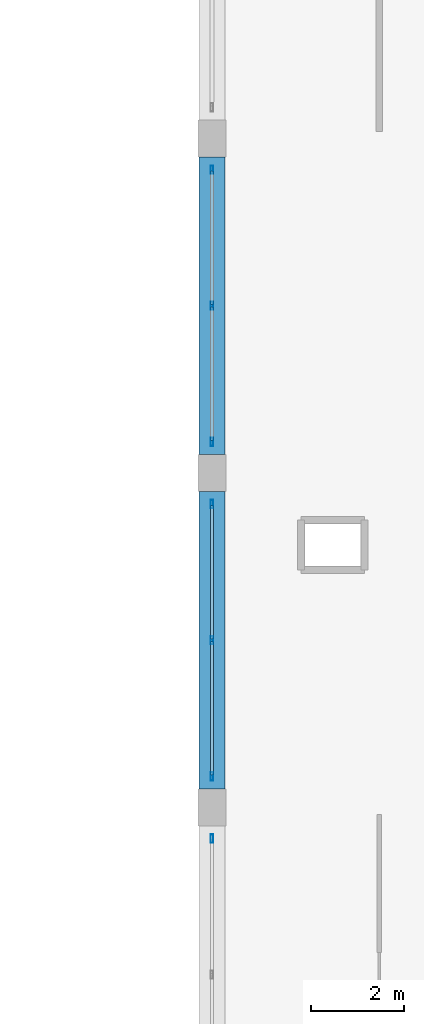
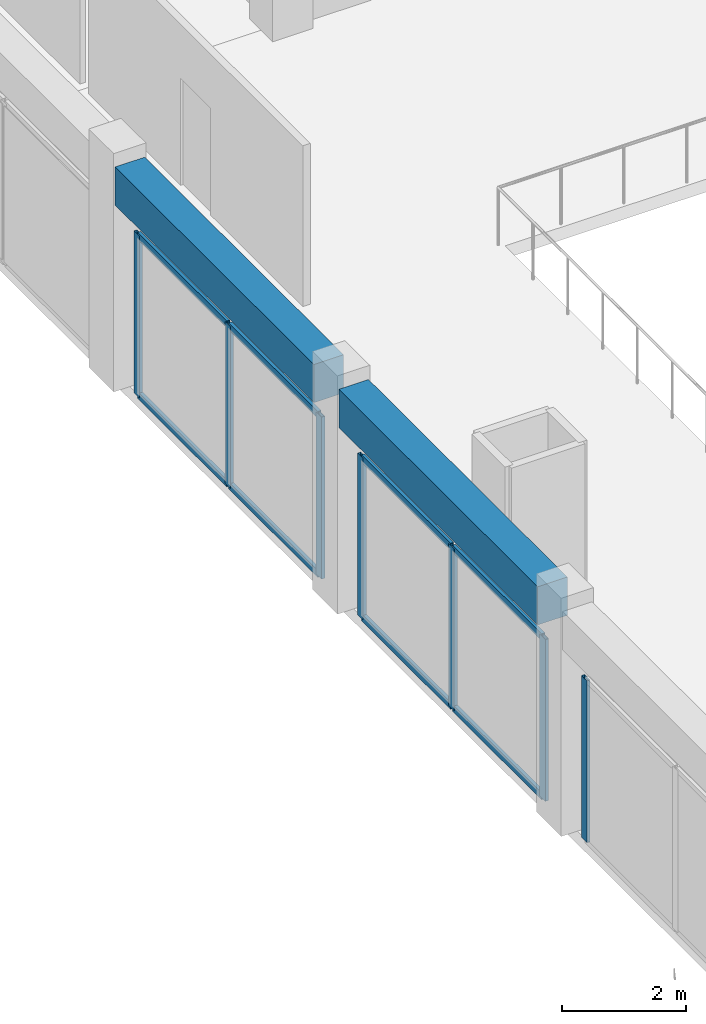
# One storey, part 10 of 55: 15 members, 2 beams, 3 elements without a shape of their own.
"""IFC4 building model written with IfcOpenShell, lengths in metres."""

import ifcopenshell
import ifcopenshell.guid

model = None  # the IFC model being written
_history = None  # IfcOwnerHistory: only IFC2X3 demands one
_inside = {}  # id of a spatial element -> (the spatial element, [elements in it])
_under = {}  # id of a project, library or spatial element -> (it, [spatial elements below it])
_declared = {}  # id of a project -> (the project, [libraries it declares])
_typed = {}  # id of a type object -> (the type object, [elements of that type])
_made_of = {}  # id of a material, layer set ... -> (it, [elements and type objects made of it])


def new_model(schema):
    """Start an empty IFC model of exactly this schema.

    Asked for "IFC4X3", IfcOpenShell would pick the latest addendum, in which some entities
    have other attributes; the version numbers below select the first issue.
    IFC2X3 requires an IfcOwnerHistory on every rooted entity: one is made here for all.
    """
    global model, _history
    if schema == "IFC4X3":
        model = ifcopenshell.file(schema_version=(4, 3, 0, 0))
    else:
        model = ifcopenshell.file(schema=schema)
    _inside.clear()
    _under.clear()
    _declared.clear()
    _typed.clear()
    _made_of.clear()
    _history = None
    if model.schema == "IFC2X3":
        org = make("IfcOrganization", Name="unknown")
        user = make(
            "IfcPersonAndOrganization",
            ThePerson=make("IfcPerson", FamilyName="unknown"),
            TheOrganization=org,
        )
        app = make(
            "IfcApplication",
            ApplicationDeveloper=org,
            Version="unknown",
            ApplicationFullName="unknown",
            ApplicationIdentifier="unknown",
        )
        _history = make(
            "IfcOwnerHistory",
            OwningUser=user,
            OwningApplication=app,
            ChangeAction="ADDED",
            CreationDate=0,
        )
    return model


def make(cls, **values):
    """One entity of the class cls with the attributes given. An attribute that is None is left unset."""
    return model.create_entity(
        cls, **{name: value for name, value in values.items() if value is not None}
    )


def rooted(cls, **values):
    """An entity with a GlobalId (a new one), such as an element, a storey or a relation."""
    return make(cls, GlobalId=ifcopenshell.guid.new(), OwnerHistory=_history, **values)


def si_unit(unit_type, name, prefix=None):
    """IfcSIUnit, for example si_unit("LENGTHUNIT", "METRE", prefix="MILLI")."""
    return make("IfcSIUnit", UnitType=unit_type, Prefix=prefix, Name=name)


def assignment(units):
    """IfcUnitAssignment: the units of a project."""
    return None if units is None else make("IfcUnitAssignment", Units=units)


def point(xyz):
    """IfcCartesianPoint."""
    return None if xyz is None else make("IfcCartesianPoint", Coordinates=xyz)


def direction(xyz):
    """IfcDirection."""
    return None if xyz is None else make("IfcDirection", DirectionRatios=xyz)


def frame(location, z_axis=None, x_axis=None):
    """IfcAxis2Placement3D, a coordinate frame: its origin and axes. An axis left out is left unset."""
    return make(
        "IfcAxis2Placement3D",
        Location=point(location),
        Axis=direction(z_axis),
        RefDirection=direction(x_axis),
    )


def frame_2d(location, x_axis=None):
    """IfcAxis2Placement2D, a coordinate frame in the plane: its origin and x axis."""
    return make(
        "IfcAxis2Placement2D", Location=point(location), RefDirection=direction(x_axis)
    )


def origin():
    """The frame at (0, 0, 0) with its axes left unset."""
    return frame((0.0, 0.0, 0.0))


def origin_2d():
    """The frame at (0, 0) in the plane with its x axis left unset."""
    return frame_2d((0.0, 0.0))


def place(relative_to, where):
    """IfcLocalPlacement: puts the frame where relative to a parent placement (None: the world)."""
    return make(
        "IfcLocalPlacement", PlacementRelTo=relative_to, RelativePlacement=where
    )


def context(
    kind, dimensions, precision=None, world=None, true_north=None, identifier=None
):
    """IfcGeometricRepresentationContext, for example the 3D "Model" context."""
    return make(
        "IfcGeometricRepresentationContext",
        ContextIdentifier=identifier,
        ContextType=kind,
        CoordinateSpaceDimension=dimensions,
        Precision=precision,
        WorldCoordinateSystem=world,
        TrueNorth=true_north,
    )


def subcontext(parent, identifier, kind, view, scale=None):
    """IfcGeometricRepresentationSubContext, for example "Body" below "Model"."""
    return make(
        "IfcGeometricRepresentationSubContext",
        ContextIdentifier=identifier,
        ContextType=kind,
        ParentContext=parent,
        TargetScale=scale,
        TargetView=view,
    )


def project(units=None, contexts=None):
    """IfcProject with its units and contexts."""
    return rooted(
        "IfcProject",
        Name="project",
        RepresentationContexts=contexts,
        UnitsInContext=assignment(units),
    )


def spatial(cls, under=None, at=None, **own):
    """A site, building, storey or space (cls), placed at a placement, below another one or the project."""
    s = rooted(cls, ObjectPlacement=at, **own)
    if under is not None:
        _under.setdefault(under.id(), (under, []))[1].append(s)
    return s


def profile(cls, at=None, kind="AREA", **sizes):
    """A parametric profile (cls). Its sizes go by their IFC names, for example OverallWidth=200.0."""
    return make(cls, ProfileType=kind, Position=at, **sizes)


def rectangle(**sizes):
    """IfcRectangleProfileDef."""
    return profile("IfcRectangleProfileDef", **sizes)


def hollow_rectangle(**sizes):
    """IfcRectangleHollowProfileDef."""
    return profile("IfcRectangleHollowProfileDef", **sizes)


def extrude(swept, where, along, depth):
    """IfcExtrudedAreaSolid: the profile swept, set in the frame where, extruded along a direction by depth."""
    return make(
        "IfcExtrudedAreaSolid",
        SweptArea=swept,
        Position=where,
        ExtrudedDirection=direction(along),
        Depth=depth,
    )


def shape(context_of_items, identifier, shape_type, items):
    """IfcShapeRepresentation: the items that make up one representation, for example the "Body"."""
    return make(
        "IfcShapeRepresentation",
        ContextOfItems=context_of_items,
        RepresentationIdentifier=identifier,
        RepresentationType=shape_type,
        Items=items,
    )


def material(Name=None, Category=None):
    """IfcMaterial."""
    return make("IfcMaterial", Name=Name, Category=Category)


def material_profile(
    of_material, cross_section, Name=None, Category=None, Priority=None
):
    """IfcMaterialProfile: a cross section and its material."""
    return make(
        "IfcMaterialProfile",
        Name=Name,
        Material=of_material,
        Profile=cross_section,
        Priority=Priority,
        Category=Category,
    )


def profile_set(profiles, Name=None, composite=None):
    """IfcMaterialProfileSet."""
    return make(
        "IfcMaterialProfileSet",
        Name=Name,
        MaterialProfiles=profiles,
        CompositeProfile=composite,
    )


def made_of(thing, what):
    """Note that an element or type object is made of a material, layer set ...; save() writes the relation."""
    if what is not None:
        _made_of.setdefault(what.id(), (what, []))[1].append(thing)
    return thing


def type_object(cls, material=None, **own):
    """A type object (cls), such as IfcWallType, which elements share."""
    return made_of(rooted(cls, **own), material)


def element(
    cls,
    number,
    at=None,
    inside=None,
    cuts=None,
    type_object=None,
    material=None,
    context=None,
    identifier="Body",
    shape_type=None,
    held_by="IfcProductDefinitionShape",
    body=None,
    shapes=None,
    **own,
):
    """One element of the class cls, such as IfcWall. Its Tag is "e" and its number.

    at: its placement. inside: the storey or other place that contains it. cuts: it is an
    opening in that element (IfcRelVoidsElement). A single representation is given by context,
    identifier, shape_type and body (its items); several are given by shapes. held_by: the class
    of the entity that holds the representations. save() writes the other relations.
    """
    e = rooted(cls, Tag="e%d" % number, ObjectPlacement=at, **own)
    if body is not None:
        shapes = [shape(context, identifier, shape_type, body)]
    if shapes is not None:
        e.Representation = make(held_by, Representations=shapes)
    if inside is not None:
        _inside.setdefault(inside.id(), (inside, []))[1].append(e)
    if cuts is not None:
        rooted(
            "IfcRelVoidsElement", RelatingBuildingElement=cuts, RelatedOpeningElement=e
        )
    if type_object is not None:
        _typed.setdefault(type_object.id(), (type_object, []))[1].append(e)
    return made_of(e, material)


def aggregate(whole, parts):
    """IfcRelAggregates: a whole, such as a stair, and the parts it consists of."""
    return rooted("IfcRelAggregates", RelatingObject=whole, RelatedObjects=parts)


def save(model, path):
    """Write the relations noted so far, then the file.

    IfcRelAggregates (storeys below a building ...), IfcRelContainedInSpatialStructure (elements
    in a storey), IfcRelDefinesByType, IfcRelAssociatesMaterial and IfcRelDeclares: one each for
    every whole, place, type object, material and project.
    """
    for whole, parts in _under.values():
        aggregate(whole, parts)
    for where, things in _inside.values():
        rooted(
            "IfcRelContainedInSpatialStructure",
            RelatedElements=things,
            RelatingStructure=where,
        )
    for kind, things in _typed.values():
        rooted("IfcRelDefinesByType", RelatedObjects=things, RelatingType=kind)
    for what, things in _made_of.values():
        rooted("IfcRelAssociatesMaterial", RelatedObjects=things, RelatingMaterial=what)
    for by, libraries in _declared.values():
        rooted("IfcRelDeclares", RelatingContext=by, RelatedDefinitions=libraries)
    model.write(path)


model = new_model("IFC4")

# Units and contexts
model_context = context("Model", 3, precision=1e-05, world=origin(), true_north=direction((0.0, 1.0)))
body_context = subcontext(model_context, "Body", "Model", "MODEL_VIEW")
ifc_project = project(units=[si_unit("LENGTHUNIT", "METRE"), si_unit("AREAUNIT", "SQUARE_METRE"), si_unit("VOLUMEUNIT", "CUBIC_METRE"), si_unit("PLANEANGLEUNIT", "RADIAN"), si_unit("MASSUNIT", "GRAM", prefix="KILO")], contexts=[model_context])

# Site, building, storey
site_placement = place(None, origin())
site = spatial("IfcSite", under=ifc_project, at=site_placement, CompositionType="ELEMENT")
building_placement = place(site_placement, origin())
building = spatial("IfcBuilding", under=site, at=building_placement, Name="Kazehaya Institute of Natural Sciences", CompositionType="ELEMENT")
storey_placement = place(building_placement, frame((0.0, 0.0, 15.1201171875)))
storey = spatial("IfcBuildingStorey", under=building, at=storey_placement, Name="L03", CompositionType="ELEMENT", Elevation=15.1201171875)

# Beams
ifc_material_1 = material(Name="Concrete Fc36", Category="concrete")
ifc_material_profile_1 = material_profile(ifc_material_1, rectangle(XDim=0.550048828125, YDim=0.75, at=origin_2d()), Name="RC-550x750")
ifc_profile_set_1 = profile_set([ifc_material_profile_1], Name="Concrete Fc36")
beam_type = type_object("IfcBeamType", Name="BM-G-550x750", PredefinedType="BEAM", material=ifc_profile_set_1)
for number, where, z_axis, x_axis, name in (
    (1, (61.800048828125, 43.199951171875, 4.034912109375), (0.0, 1.0, 0.0), (-1.0, 0.0, 0.0), "L03 primary Y girder BMY-L03-618-428"),
    (2, (61.800048828125, 50.39990234375, 4.034912109375), (0.0, 1.0, 0.0), (-1.0, 0.0, 0.0), "L03 primary Y girder BMY-L03-618-500"),
):
    element("IfcBeam", number, at=place(storey_placement, frame(where, z_axis=z_axis, x_axis=x_axis)), inside=storey, type_object=beam_type, Name=name, PredefinedType="BEAM", context=body_context, shape_type="SweptSolid", body=[
        extrude(rectangle(XDim=0.550048828125, YDim=0.75, at=origin_2d()), origin(), (0.0, 0.0, 1.0), 6.400146484375),
    ])

# Curtain wall, member
ifc_material_2 = material(Name="Aluminium alloy A6063S-T5", Category="aluminium")
curtain_wall_type = type_object("IfcCurtainWallType", Name="CW-SYS-04", PredefinedType="NOTDEFINED", material=ifc_material_2)
curtain_wall_1_placement = place(storey_placement, origin())
curtain_wall_1 = element("IfcCurtainWall", 3, at=curtain_wall_1_placement, inside=storey, type_object=curtain_wall_type, Name="L03 unitised curtain wall CW-L03-031", PredefinedType="NOTDEFINED")
ifc_material_profile_2 = material_profile(ifc_material_2, hollow_rectangle(XDim=0.06005859375, YDim=0.179931640625, WallThickness=0.00390625, at=origin_2d()), Name="ALU-60x180x4")
ifc_profile_set_2 = profile_set([ifc_material_profile_2], Name="Aluminium alloy A6063S-T5")
member_type_1 = type_object("IfcMemberType", Name="CWM-180", PredefinedType="MULLION", material=ifc_profile_set_2)
member_1_placement = place(storey_placement, frame((61.800048828125, 42.1298828125, 0.0), z_axis=(0.0, 0.0, 1.0), x_axis=(-1.0, 0.0, 0.0)))
member_1 = element("IfcMember", 4, at=member_1_placement, type_object=member_type_1, Name="CW04 mullion 3", PredefinedType="MULLION", context=body_context, shape_type="SweptSolid", body=[
    extrude(hollow_rectangle(XDim=0.06005859375, YDim=0.179931640625, WallThickness=0.00390625, at=origin_2d()), origin(), (0.0, 0.0, 1.0), 3.179931640625),
])
aggregate(curtain_wall_1, [member_1])

# Curtain wall, members
curtain_wall_2_placement = place(storey_placement, origin())
curtain_wall_2 = element("IfcCurtainWall", 5, at=curtain_wall_2_placement, inside=storey, type_object=curtain_wall_type, Name="L03 unitised curtain wall CW-L03-033", PredefinedType="NOTDEFINED")
member_2_placement = place(storey_placement, frame((61.800048828125, 43.469970703125, 0.0), z_axis=(0.0, 0.0, 1.0), x_axis=(-1.0, 0.0, 0.0)))
member_2 = element("IfcMember", 6, at=member_2_placement, type_object=member_type_1, Name="CW04 mullion 1", PredefinedType="MULLION", context=body_context, shape_type="SweptSolid", body=[
    extrude(hollow_rectangle(XDim=0.06005859375, YDim=0.179931640625, WallThickness=0.00390625, at=origin_2d()), origin(), (0.0, 0.0, 1.0), 3.179931640625),
])
member_3_placement = place(storey_placement, frame((61.800048828125, 46.39990234375, 0.0), z_axis=(0.0, 0.0, 1.0), x_axis=(-1.0, 0.0, 0.0)))
member_3 = element("IfcMember", 7, at=member_3_placement, type_object=member_type_1, Name="CW04 mullion 2", PredefinedType="MULLION", context=body_context, shape_type="SweptSolid", body=[
    extrude(hollow_rectangle(XDim=0.06005859375, YDim=0.179931640625, WallThickness=0.00390625, at=origin_2d()), origin(), (0.0, 0.0, 1.0), 3.179931640625),
])
member_4_placement = place(storey_placement, frame((61.800048828125, 49.330078125, 0.0), z_axis=(0.0, 0.0, 1.0), x_axis=(-1.0, 0.0, 0.0)))
member_4 = element("IfcMember", 8, at=member_4_placement, type_object=member_type_1, Name="CW04 mullion 3", PredefinedType="MULLION", context=body_context, shape_type="SweptSolid", body=[
    extrude(hollow_rectangle(XDim=0.06005859375, YDim=0.179931640625, WallThickness=0.00390625, at=origin_2d()), origin(), (0.0, 0.0, 1.0), 3.179931640625),
])

curtain_wall_3_placement = place(storey_placement, origin())
curtain_wall_3 = element("IfcCurtainWall", 9, at=curtain_wall_3_placement, inside=storey, type_object=curtain_wall_type, Name="L03 unitised curtain wall CW-L03-035", PredefinedType="NOTDEFINED")
member_5_placement = place(storey_placement, frame((61.800048828125, 50.669921875, 0.0), z_axis=(0.0, 0.0, 1.0), x_axis=(-1.0, 0.0, 0.0)))
member_5 = element("IfcMember", 10, at=member_5_placement, type_object=member_type_1, Name="CW04 mullion 1", PredefinedType="MULLION", context=body_context, shape_type="SweptSolid", body=[
    extrude(hollow_rectangle(XDim=0.06005859375, YDim=0.179931640625, WallThickness=0.00390625, at=origin_2d()), origin(), (0.0, 0.0, 1.0), 3.179931640625),
])
member_6_placement = place(storey_placement, frame((61.800048828125, 53.60009765625, 0.0), z_axis=(0.0, 0.0, 1.0), x_axis=(-1.0, 0.0, 0.0)))
member_6 = element("IfcMember", 11, at=member_6_placement, type_object=member_type_1, Name="CW04 mullion 2", PredefinedType="MULLION", context=body_context, shape_type="SweptSolid", body=[
    extrude(hollow_rectangle(XDim=0.06005859375, YDim=0.179931640625, WallThickness=0.00390625, at=origin_2d()), origin(), (0.0, 0.0, 1.0), 3.179931640625),
])
member_7_placement = place(storey_placement, frame((61.800048828125, 56.530029296875, 0.0), z_axis=(0.0, 0.0, 1.0), x_axis=(-1.0, 0.0, 0.0)))
member_7 = element("IfcMember", 12, at=member_7_placement, type_object=member_type_1, Name="CW04 mullion 3", PredefinedType="MULLION", context=body_context, shape_type="SweptSolid", body=[
    extrude(hollow_rectangle(XDim=0.06005859375, YDim=0.179931640625, WallThickness=0.00390625, at=origin_2d()), origin(), (0.0, 0.0, 1.0), 3.179931640625),
])

# Member
ifc_material_profile_3 = material_profile(ifc_material_2, hollow_rectangle(XDim=0.06005859375, YDim=0.139892578125, WallThickness=0.00341796875, at=origin_2d()), Name="ALU-60x140x3.5")
ifc_profile_set_3 = profile_set([ifc_material_profile_3], Name="Aluminium alloy A6063S-T5")
member_type_2 = type_object("IfcMemberType", Name="CWT-140", PredefinedType="USERDEFINED", material=ifc_profile_set_3)
member_8_placement = place(storey_placement, frame((61.800048828125, 43.5, 0.02978515625), z_axis=(0.0, 1.0, 0.0), x_axis=(-1.0, 0.0, 0.0)))
member_8 = element("IfcMember", 13, at=member_8_placement, type_object=member_type_2, Name="CW04 transom 1.1", ObjectType="TRANSOM", PredefinedType="USERDEFINED", context=body_context, shape_type="SweptSolid", body=[
    extrude(hollow_rectangle(XDim=0.06005859375, YDim=0.139892578125, WallThickness=0.00341796875, at=origin_2d()), origin(), (0.0, 0.0, 1.0), 2.8701171875),
])

member_9_placement = place(storey_placement, frame((61.800048828125, 43.5, 3.14990234375), z_axis=(0.0, 1.0, 0.0), x_axis=(-1.0, 0.0, 0.0)))
member_9 = element("IfcMember", 14, at=member_9_placement, type_object=member_type_2, Name="CW04 transom 1.2", ObjectType="TRANSOM", PredefinedType="USERDEFINED", context=body_context, shape_type="SweptSolid", body=[
    extrude(hollow_rectangle(XDim=0.06005859375, YDim=0.139892578125, WallThickness=0.00341796875, at=origin_2d()), origin(), (0.0, 0.0, 1.0), 2.8701171875),
])

member_10_placement = place(storey_placement, frame((61.800048828125, 46.429931640625, 0.02978515625), z_axis=(0.0, 1.0, 0.0), x_axis=(-1.0, 0.0, 0.0)))
member_10 = element("IfcMember", 15, at=member_10_placement, type_object=member_type_2, Name="CW04 transom 2.1", ObjectType="TRANSOM", PredefinedType="USERDEFINED", context=body_context, shape_type="SweptSolid", body=[
    extrude(hollow_rectangle(XDim=0.06005859375, YDim=0.139892578125, WallThickness=0.00341796875, at=origin_2d()), origin(), (0.0, 0.0, 1.0), 2.8701171875),
])

member_11_placement = place(storey_placement, frame((61.800048828125, 46.429931640625, 3.14990234375), z_axis=(0.0, 1.0, 0.0), x_axis=(-1.0, 0.0, 0.0)))
member_11 = element("IfcMember", 16, at=member_11_placement, type_object=member_type_2, Name="CW04 transom 2.2", ObjectType="TRANSOM", PredefinedType="USERDEFINED", context=body_context, shape_type="SweptSolid", body=[
    extrude(hollow_rectangle(XDim=0.06005859375, YDim=0.139892578125, WallThickness=0.00341796875, at=origin_2d()), origin(), (0.0, 0.0, 1.0), 2.8701171875),
])

aggregate(curtain_wall_2, [member_2, member_3, member_4, member_8, member_9, member_10, member_11])

member_12_placement = place(storey_placement, frame((61.800048828125, 50.699951171875, 0.02978515625), z_axis=(0.0, 1.0, 0.0), x_axis=(-1.0, 0.0, 0.0)))
member_12 = element("IfcMember", 17, at=member_12_placement, type_object=member_type_2, Name="CW04 transom 1.1", ObjectType="TRANSOM", PredefinedType="USERDEFINED", context=body_context, shape_type="SweptSolid", body=[
    extrude(hollow_rectangle(XDim=0.06005859375, YDim=0.139892578125, WallThickness=0.00341796875, at=origin_2d()), origin(), (0.0, 0.0, 1.0), 2.8701171875),
])

member_13_placement = place(storey_placement, frame((61.800048828125, 50.699951171875, 3.14990234375), z_axis=(0.0, 1.0, 0.0), x_axis=(-1.0, 0.0, 0.0)))
member_13 = element("IfcMember", 18, at=member_13_placement, type_object=member_type_2, Name="CW04 transom 1.2", ObjectType="TRANSOM", PredefinedType="USERDEFINED", context=body_context, shape_type="SweptSolid", body=[
    extrude(hollow_rectangle(XDim=0.06005859375, YDim=0.139892578125, WallThickness=0.00341796875, at=origin_2d()), origin(), (0.0, 0.0, 1.0), 2.8701171875),
])

member_14_placement = place(storey_placement, frame((61.800048828125, 53.6298828125, 0.02978515625), z_axis=(0.0, 1.0, 0.0), x_axis=(-1.0, 0.0, 0.0)))
member_14 = element("IfcMember", 19, at=member_14_placement, type_object=member_type_2, Name="CW04 transom 2.1", ObjectType="TRANSOM", PredefinedType="USERDEFINED", context=body_context, shape_type="SweptSolid", body=[
    extrude(hollow_rectangle(XDim=0.06005859375, YDim=0.139892578125, WallThickness=0.00341796875, at=origin_2d()), origin(), (0.0, 0.0, 1.0), 2.8701171875),
])

member_15_placement = place(storey_placement, frame((61.800048828125, 53.6298828125, 3.14990234375), z_axis=(0.0, 1.0, 0.0), x_axis=(-1.0, 0.0, 0.0)))
member_15 = element("IfcMember", 20, at=member_15_placement, type_object=member_type_2, Name="CW04 transom 2.2", ObjectType="TRANSOM", PredefinedType="USERDEFINED", context=body_context, shape_type="SweptSolid", body=[
    extrude(hollow_rectangle(XDim=0.06005859375, YDim=0.139892578125, WallThickness=0.00341796875, at=origin_2d()), origin(), (0.0, 0.0, 1.0), 2.8701171875),
])

aggregate(curtain_wall_3, [member_5, member_6, member_7, member_12, member_13, member_14, member_15])

save(model, "model.ifc")
